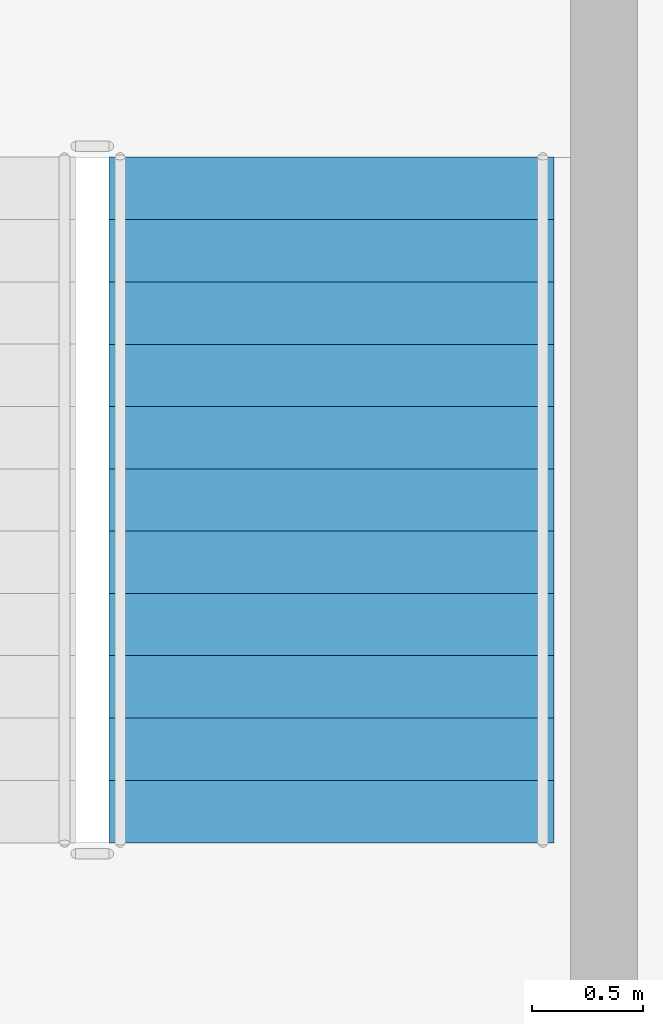
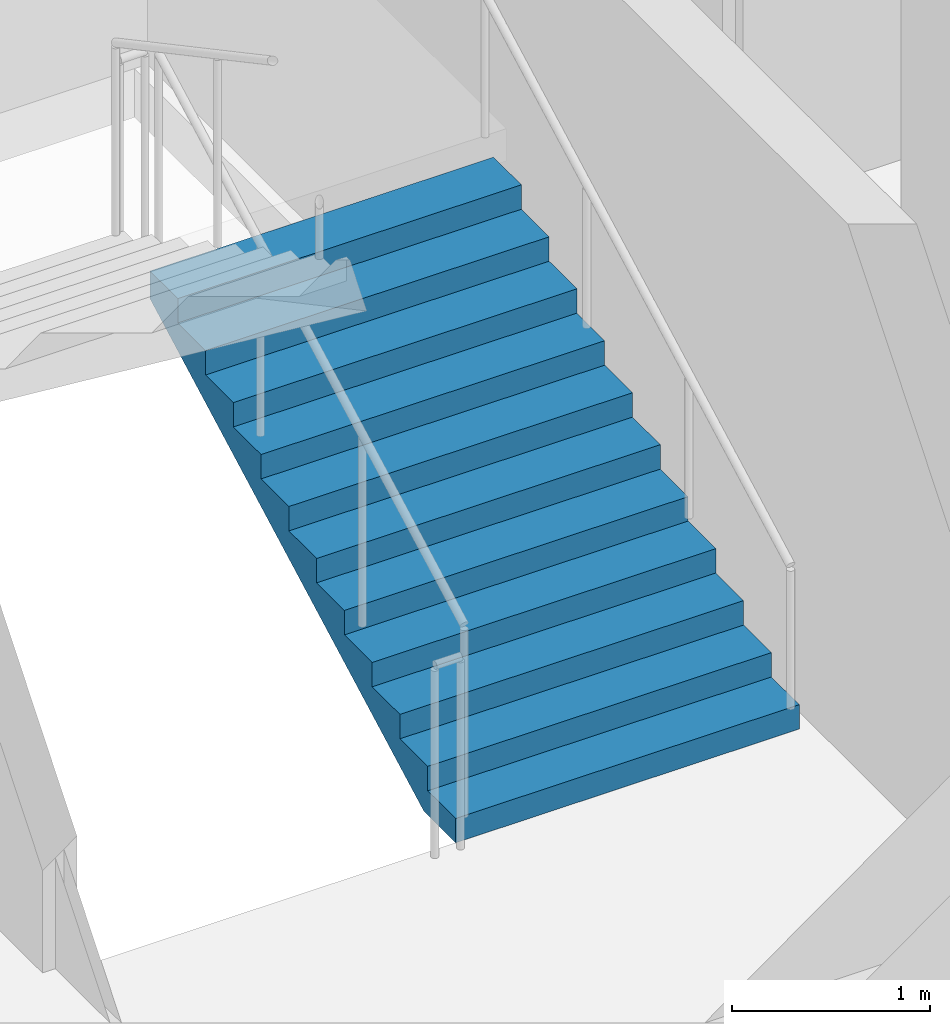
# One storey, part 11 of 14: 1 stair flight, 1 element without a shape of its own.
"""IFC4 building model written with IfcOpenShell, lengths in metres."""

from ifc_helpers import new_model, si_unit, direction, frame, origin, place, context, subcontext, project, spatial, polygons, material, type_object, element, aggregate, save


model = new_model("IFC4")

# Units and contexts
model_context = context("Model", 3, precision=1e-05, world=origin(), true_north=direction((0.0, 1.0)))
body_context = subcontext(model_context, "Body", "Model", "MODEL_VIEW")
ifc_project = project(units=[si_unit("LENGTHUNIT", "METRE"), si_unit("AREAUNIT", "SQUARE_METRE"), si_unit("VOLUMEUNIT", "CUBIC_METRE"), si_unit("PLANEANGLEUNIT", "RADIAN"), si_unit("MASSUNIT", "GRAM", prefix="KILO")], contexts=[model_context])

# Site, building, storey
site_placement = place(None, origin())
site = spatial("IfcSite", under=ifc_project, at=site_placement, CompositionType="ELEMENT")
building_placement = place(site_placement, origin())
building = spatial("IfcBuilding", under=site, at=building_placement, Name="Caravel Reach Hotel and Residences", CompositionType="ELEMENT")
storey_placement = place(building_placement, frame((0.0, 0.0, 118.800048828125)))
storey = spatial("IfcBuildingStorey", under=building, at=storey_placement, Name="L29", CompositionType="ELEMENT", Elevation=118.800048828125)

# Stair, stair flight
ifc_material_1 = material(Name="Concrete C40", Category="concrete")
stair_type = type_object("IfcStairType", Name="Core stair", PredefinedType="HALF_TURN_STAIR", material=ifc_material_1)
stair_placement = place(storey_placement, origin())
stair = element("IfcStair", 1, at=stair_placement, inside=storey, type_object=stair_type, Name="L29 Exit stair B", PredefinedType="HALF_TURN_STAIR")
ifc_material_2 = material(Name="Concrete C40", Category="concrete")
stair_flight_type = type_object("IfcStairFlightType", Name="Core stair flight", PredefinedType="STRAIGHT", material=ifc_material_2)
stair_flight_placement = place(storey_placement, frame((43.77490234375, 24.64990234375, 0.0), z_axis=(0.0, 0.0, 1.0), x_axis=(0.0, 1.0, 0.0)))
stair_flight = element("IfcStairFlight", 2, at=stair_flight_placement, type_object=stair_flight_type, Name="ST-B flight 1", NumberOfRisers=12, NumberOfTreads=11, PredefinedType="STRAIGHT", RiserHeight=0.15, TreadLength=0.28, context=body_context, shape_type="Tessellation", body=[
    polygons([(0.3174408016601862, 1.0, 0.0), (0.3174408016601862, 0.6666666666666667, 0.0), (0.3174408016601862, 0.33333333333333337, 0.0), (0.3174408016601862, 0.0, 0.0), (0.3174408016601862, -0.33333333333333326, 0.0), (0.3174408016601862, -0.6666666666666667, 0.0), (0.3174408016601862, -1.0, 0.0), (3.081, 1.0, 1.479942427682043), (3.081, 0.6666666666666667, 1.479942427682043), (3.081, 0.33333333333333337, 1.479942427682043), (3.081, 0.0, 1.479942427682043), (3.081, -0.33333333333333326, 1.479942427682043), (3.081, -0.6666666666666667, 1.479942427682043), (3.081, -1.0, 1.479942427682043), (3.081, 1.0, 1.65), (3.081, 0.6666666666666667, 1.65), (3.081, 0.33333333333333337, 1.65), (3.081, 0.0, 1.65), (3.081, -0.33333333333333326, 1.65), (3.081, -0.6666666666666667, 1.65), (3.081, -1.0, 1.65), (2.8000000000000003, 1.0, 1.65), (2.8000000000000003, 0.6666666666666667, 1.65), (2.8000000000000003, 0.33333333333333337, 1.65), (2.8000000000000003, 0.0, 1.65), (2.8000000000000003, -0.33333333333333326, 1.65), (2.8000000000000003, -0.6666666666666667, 1.65), (2.8000000000000003, -1.0, 1.65), (2.8000000000000003, 1.0, 1.5), (2.8000000000000003, 0.6666666666666667, 1.5), (2.8000000000000003, 0.33333333333333337, 1.5), (2.8000000000000003, 0.0, 1.5), (2.8000000000000003, -0.33333333333333326, 1.5), (2.8000000000000003, -0.6666666666666667, 1.5), (2.8000000000000003, -1.0, 1.5), (2.5200000000000005, 1.0, 1.5), (2.5200000000000005, 0.6666666666666667, 1.5), (2.5200000000000005, 0.33333333333333337, 1.5), (2.5200000000000005, 0.0, 1.5), (2.5200000000000005, -0.33333333333333326, 1.5), (2.5200000000000005, -0.6666666666666667, 1.5), (2.5200000000000005, -1.0, 1.5), (2.5200000000000005, 1.0, 1.3499999999999999), (2.5200000000000005, 0.6666666666666667, 1.3499999999999999), (2.5200000000000005, 0.33333333333333337, 1.3499999999999999), (2.5200000000000005, 0.0, 1.3499999999999999), (2.5200000000000005, -0.33333333333333326, 1.3499999999999999), (2.5200000000000005, -0.6666666666666667, 1.3499999999999999), (2.5200000000000005, -1.0, 1.3499999999999999), (2.24, 1.0, 1.3499999999999999), (2.24, 0.6666666666666667, 1.3499999999999999), (2.24, 0.33333333333333337, 1.3499999999999999), (2.24, 0.0, 1.3499999999999999), (2.24, -0.33333333333333326, 1.3499999999999999), (2.24, -0.6666666666666667, 1.3499999999999999), (2.24, -1.0, 1.3499999999999999), (2.24, 1.0, 1.2), (2.24, 0.6666666666666667, 1.2), (2.24, 0.33333333333333337, 1.2), (2.24, 0.0, 1.2), (2.24, -0.33333333333333326, 1.2), (2.24, -0.6666666666666667, 1.2), (2.24, -1.0, 1.2), (1.9600000000000002, 1.0, 1.2), (1.9600000000000002, 0.6666666666666667, 1.2), (1.9600000000000002, 0.33333333333333337, 1.2), (1.9600000000000002, 0.0, 1.2), (1.9600000000000002, -0.33333333333333326, 1.2), (1.9600000000000002, -0.6666666666666667, 1.2), (1.9600000000000002, -1.0, 1.2), (1.9600000000000002, 1.0, 1.05), (1.9600000000000002, 0.6666666666666667, 1.05), (1.9600000000000002, 0.33333333333333337, 1.05), (1.9600000000000002, 0.0, 1.05), (1.9600000000000002, -0.33333333333333326, 1.05), (1.9600000000000002, -0.6666666666666667, 1.05), (1.9600000000000002, -1.0, 1.05), (1.6800000000000002, 1.0, 1.05), (1.6800000000000002, 0.6666666666666667, 1.05), (1.6800000000000002, 0.33333333333333337, 1.05), (1.6800000000000002, 0.0, 1.05), (1.6800000000000002, -0.33333333333333326, 1.05), (1.6800000000000002, -0.6666666666666667, 1.05), (1.6800000000000002, -1.0, 1.05), (1.6800000000000002, 1.0, 0.8999999999999999), (1.6800000000000002, 0.6666666666666667, 0.8999999999999999), (1.6800000000000002, 0.33333333333333337, 0.8999999999999999), (1.6800000000000002, 0.0, 0.8999999999999999), (1.6800000000000002, -0.33333333333333326, 0.8999999999999999), (1.6800000000000002, -0.6666666666666667, 0.8999999999999999), (1.6800000000000002, -1.0, 0.8999999999999999), (1.4000000000000001, 1.0, 0.8999999999999999), (1.4000000000000001, 0.6666666666666667, 0.8999999999999999), (1.4000000000000001, 0.33333333333333337, 0.8999999999999999), (1.4000000000000001, 0.0, 0.8999999999999999), (1.4000000000000001, -0.33333333333333326, 0.8999999999999999), (1.4000000000000001, -0.6666666666666667, 0.8999999999999999), (1.4000000000000001, -1.0, 0.8999999999999999), (1.4000000000000001, 1.0, 0.75), (1.4000000000000001, 0.6666666666666667, 0.75), (1.4000000000000001, 0.33333333333333337, 0.75), (1.4000000000000001, 0.0, 0.75), (1.4000000000000001, -0.33333333333333326, 0.75), (1.4000000000000001, -0.6666666666666667, 0.75), (1.4000000000000001, -1.0, 0.75), (1.12, 1.0, 0.75), (1.12, 0.6666666666666667, 0.75), (1.12, 0.33333333333333337, 0.75), (1.12, 0.0, 0.75), (1.12, -0.33333333333333326, 0.75), (1.12, -0.6666666666666667, 0.75), (1.12, -1.0, 0.75), (1.12, 1.0, 0.6), (1.12, 0.6666666666666667, 0.6), (1.12, 0.33333333333333337, 0.6), (1.12, 0.0, 0.6), (1.12, -0.33333333333333326, 0.6), (1.12, -0.6666666666666667, 0.6), (1.12, -1.0, 0.6), (0.8400000000000001, 1.0, 0.6), (0.8400000000000001, 0.6666666666666667, 0.6), (0.8400000000000001, 0.33333333333333337, 0.6), (0.8400000000000001, 0.0, 0.6), (0.8400000000000001, -0.33333333333333326, 0.6), (0.8400000000000001, -0.6666666666666667, 0.6), (0.8400000000000001, -1.0, 0.6), (0.8400000000000001, 1.0, 0.44999999999999996), (0.8400000000000001, 0.6666666666666667, 0.44999999999999996), (0.8400000000000001, 0.33333333333333337, 0.44999999999999996), (0.8400000000000001, 0.0, 0.44999999999999996), (0.8400000000000001, -0.33333333333333326, 0.44999999999999996), (0.8400000000000001, -0.6666666666666667, 0.44999999999999996), (0.8400000000000001, -1.0, 0.44999999999999996), (0.56, 1.0, 0.44999999999999996), (0.56, 0.6666666666666667, 0.44999999999999996), (0.56, 0.33333333333333337, 0.44999999999999996), (0.56, 0.0, 0.44999999999999996), (0.56, -0.33333333333333326, 0.44999999999999996), (0.56, -0.6666666666666667, 0.44999999999999996), (0.56, -1.0, 0.44999999999999996), (0.56, 1.0, 0.3), (0.56, 0.6666666666666667, 0.3), (0.56, 0.33333333333333337, 0.3), (0.56, 0.0, 0.3), (0.56, -0.33333333333333326, 0.3), (0.56, -0.6666666666666667, 0.3), (0.56, -1.0, 0.3), (0.28, 1.0, 0.3), (0.28, 0.6666666666666667, 0.3), (0.28, 0.33333333333333337, 0.3), (0.28, 0.0, 0.3), (0.28, -0.33333333333333326, 0.3), (0.28, -0.6666666666666667, 0.3), (0.28, -1.0, 0.3), (0.28, 1.0, 0.15), (0.28, 0.6666666666666667, 0.15), (0.28, 0.33333333333333337, 0.15), (0.28, 0.0, 0.15), (0.28, -0.33333333333333326, 0.15), (0.28, -0.6666666666666667, 0.15), (0.28, -1.0, 0.15), (-0.001, 1.0, 0.15), (-0.001, 0.6666666666666667, 0.15), (-0.001, 0.33333333333333337, 0.15), (-0.001, 0.0, 0.15), (-0.001, -0.33333333333333326, 0.15), (-0.001, -0.6666666666666667, 0.15), (-0.001, -1.0, 0.15), (-0.001, 1.0, 0.0), (-0.001, 0.6666666666666667, 0.0), (-0.001, 0.33333333333333337, 0.0), (-0.001, 0.0, 0.0), (-0.001, -0.33333333333333326, 0.0), (-0.001, -0.6666666666666667, 0.0), (-0.001, -1.0, 0.0)], [[[169, 162, 155, 148, 141, 134, 127, 120, 113, 106, 99, 92, 85, 78, 71, 64, 57, 50, 43, 36, 29, 22, 15, 8, 1]], [[7, 14, 21, 28, 35, 42, 49, 56, 63, 70, 77, 84, 91, 98, 105, 112, 119, 126, 133, 140, 147, 154, 161, 168, 175]], [[1, 8, 9, 2]], [[2, 9, 10, 3]], [[3, 10, 11, 4]], [[4, 11, 12, 5]], [[5, 12, 13, 6]], [[6, 13, 14, 7]], [[8, 15, 16, 9]], [[9, 16, 17, 10]], [[10, 17, 18, 11]], [[11, 18, 19, 12]], [[12, 19, 20, 13]], [[13, 20, 21, 14]], [[15, 22, 23, 16]], [[16, 23, 24, 17]], [[17, 24, 25, 18]], [[18, 25, 26, 19]], [[19, 26, 27, 20]], [[20, 27, 28, 21]], [[22, 29, 30, 23]], [[23, 30, 31, 24]], [[24, 31, 32, 25]], [[25, 32, 33, 26]], [[26, 33, 34, 27]], [[27, 34, 35, 28]], [[29, 36, 37, 30]], [[30, 37, 38, 31]], [[31, 38, 39, 32]], [[32, 39, 40, 33]], [[33, 40, 41, 34]], [[34, 41, 42, 35]], [[36, 43, 44, 37]], [[37, 44, 45, 38]], [[38, 45, 46, 39]], [[39, 46, 47, 40]], [[40, 47, 48, 41]], [[41, 48, 49, 42]], [[43, 50, 51, 44]], [[44, 51, 52, 45]], [[45, 52, 53, 46]], [[46, 53, 54, 47]], [[47, 54, 55, 48]], [[48, 55, 56, 49]], [[50, 57, 58, 51]], [[51, 58, 59, 52]], [[52, 59, 60, 53]], [[53, 60, 61, 54]], [[54, 61, 62, 55]], [[55, 62, 63, 56]], [[57, 64, 65, 58]], [[58, 65, 66, 59]], [[59, 66, 67, 60]], [[60, 67, 68, 61]], [[61, 68, 69, 62]], [[62, 69, 70, 63]], [[64, 71, 72, 65]], [[65, 72, 73, 66]], [[66, 73, 74, 67]], [[67, 74, 75, 68]], [[68, 75, 76, 69]], [[69, 76, 77, 70]], [[71, 78, 79, 72]], [[72, 79, 80, 73]], [[73, 80, 81, 74]], [[74, 81, 82, 75]], [[75, 82, 83, 76]], [[76, 83, 84, 77]], [[78, 85, 86, 79]], [[79, 86, 87, 80]], [[80, 87, 88, 81]], [[81, 88, 89, 82]], [[82, 89, 90, 83]], [[83, 90, 91, 84]], [[85, 92, 93, 86]], [[86, 93, 94, 87]], [[87, 94, 95, 88]], [[88, 95, 96, 89]], [[89, 96, 97, 90]], [[90, 97, 98, 91]], [[92, 99, 100, 93]], [[93, 100, 101, 94]], [[94, 101, 102, 95]], [[95, 102, 103, 96]], [[96, 103, 104, 97]], [[97, 104, 105, 98]], [[99, 106, 107, 100]], [[100, 107, 108, 101]], [[101, 108, 109, 102]], [[102, 109, 110, 103]], [[103, 110, 111, 104]], [[104, 111, 112, 105]], [[106, 113, 114, 107]], [[107, 114, 115, 108]], [[108, 115, 116, 109]], [[109, 116, 117, 110]], [[110, 117, 118, 111]], [[111, 118, 119, 112]], [[113, 120, 121, 114]], [[114, 121, 122, 115]], [[115, 122, 123, 116]], [[116, 123, 124, 117]], [[117, 124, 125, 118]], [[118, 125, 126, 119]], [[120, 127, 128, 121]], [[121, 128, 129, 122]], [[122, 129, 130, 123]], [[123, 130, 131, 124]], [[124, 131, 132, 125]], [[125, 132, 133, 126]], [[127, 134, 135, 128]], [[128, 135, 136, 129]], [[129, 136, 137, 130]], [[130, 137, 138, 131]], [[131, 138, 139, 132]], [[132, 139, 140, 133]], [[134, 141, 142, 135]], [[135, 142, 143, 136]], [[136, 143, 144, 137]], [[137, 144, 145, 138]], [[138, 145, 146, 139]], [[139, 146, 147, 140]], [[141, 148, 149, 142]], [[142, 149, 150, 143]], [[143, 150, 151, 144]], [[144, 151, 152, 145]], [[145, 152, 153, 146]], [[146, 153, 154, 147]], [[148, 155, 156, 149]], [[149, 156, 157, 150]], [[150, 157, 158, 151]], [[151, 158, 159, 152]], [[152, 159, 160, 153]], [[153, 160, 161, 154]], [[155, 162, 163, 156]], [[156, 163, 164, 157]], [[157, 164, 165, 158]], [[158, 165, 166, 159]], [[159, 166, 167, 160]], [[160, 167, 168, 161]], [[162, 169, 170, 163]], [[163, 170, 171, 164]], [[164, 171, 172, 165]], [[165, 172, 173, 166]], [[166, 173, 174, 167]], [[167, 174, 175, 168]], [[169, 1, 2, 170]], [[170, 2, 3, 171]], [[171, 3, 4, 172]], [[172, 4, 5, 173]], [[173, 5, 6, 174]], [[174, 6, 7, 175]]], closed=True),
])
aggregate(stair, [stair_flight])

save(model, "model.ifc")
